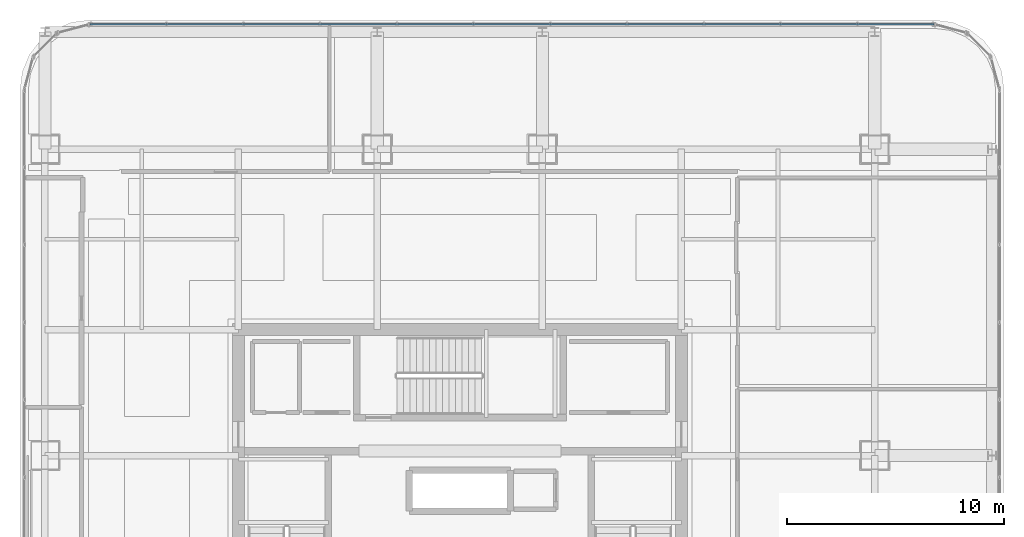
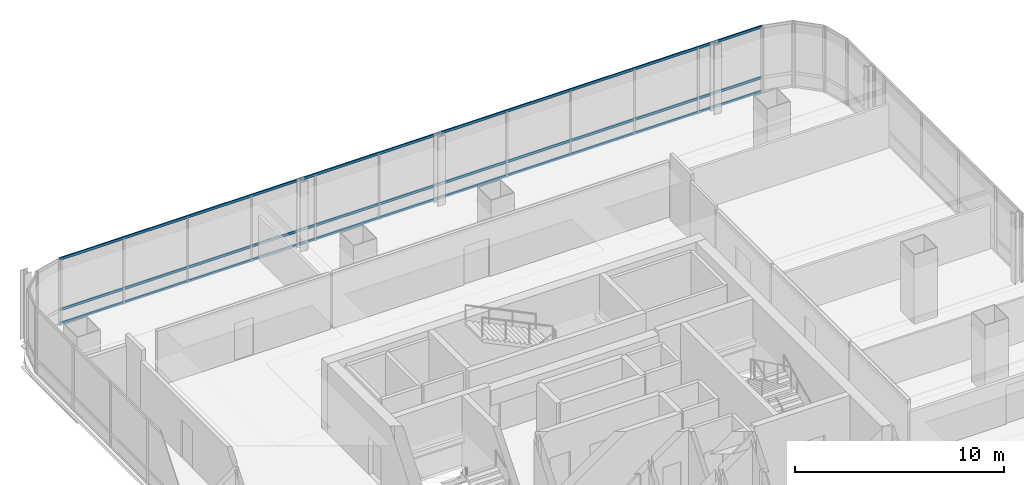
# One storey, part 28 of 42: 3 members, 1 element without a shape of its own.
"""IFC4 building model written with IfcOpenShell, lengths in metres."""

from ifc_helpers import new_model, si_unit, direction, frame, origin, origin_2d, place, context, subcontext, project, spatial, hollow_rectangle, extrude, material, material_profile, profile_set, type_object, element, aggregate, save


model = new_model("IFC4")

# Units and contexts
model_context = context("Model", 3, precision=1e-05, world=origin(), true_north=direction((0.0, 1.0)))
body_context = subcontext(model_context, "Body", "Model", "MODEL_VIEW")
ifc_project = project(units=[si_unit("LENGTHUNIT", "METRE"), si_unit("AREAUNIT", "SQUARE_METRE"), si_unit("VOLUMEUNIT", "CUBIC_METRE"), si_unit("PLANEANGLEUNIT", "RADIAN"), si_unit("MASSUNIT", "GRAM", prefix="KILO")], contexts=[model_context])

# Site, building, storey
site_placement = place(None, origin())
site = spatial("IfcSite", under=ifc_project, at=site_placement, CompositionType="ELEMENT")
building_placement = place(site_placement, origin())
building = spatial("IfcBuilding", under=site, at=building_placement, Name="Punatoya Terracotta Tower", CompositionType="ELEMENT")
storey_placement = place(building_placement, frame((0.0, 0.0, 255.449951171875)))
storey = spatial("IfcBuildingStorey", under=building, at=storey_placement, Name="L60", CompositionType="ELEMENT", Elevation=255.449951171875)

# Curtain wall, members
ifc_material_1 = material(Name="Aluminium 6063-T6 + Double Low-E Glass", Category="aluminium")
curtain_wall_type = type_object("IfcCurtainWallType", Name="CW-M3", PredefinedType="NOTDEFINED", material=ifc_material_1)
curtain_wall_placement = place(storey_placement, origin())
curtain_wall = element("IfcCurtainWall", 1, at=curtain_wall_placement, inside=storey, type_object=curtain_wall_type, Name="L60 Curtain Wall CW-L60-N09-1", PredefinedType="NOTDEFINED")
ifc_material_2 = material(Name="Aluminium 6063-T6", Category="aluminium")
ifc_material_profile = material_profile(ifc_material_2, hollow_rectangle(XDim=0.068115234375, YDim=0.14990234375, WallThickness=0.00390625, at=origin_2d()))
ifc_profile_set = profile_set([ifc_material_profile], Name="Aluminium 6063-T6")
member_type = type_object("IfcMemberType", Name="CW-TRN-TYP", PredefinedType="USERDEFINED", material=ifc_profile_set)
member_1_placement = place(storey_placement, frame((21.8369140625, 23.25, 0.0400390625), z_axis=(-1.0, 0.0, 0.0), x_axis=(0.0, -1.0, 0.0)))
member_1 = element("IfcMember", 2, at=member_1_placement, type_object=member_type, Name="CW-L60-N09-1 Transom 1", ObjectType="TRANSOM", PredefinedType="USERDEFINED", context=body_context, shape_type="SweptSolid", body=[
    extrude(hollow_rectangle(XDim=0.068115234375, YDim=0.14990234375, WallThickness=0.00390625, at=origin_2d()), origin(), (0.0, 0.0, 1.0), 38.873779296875),
])
member_2_placement = place(storey_placement, frame((21.8369140625, 23.25, 0.85009765625), z_axis=(-1.0, 0.0, 0.0), x_axis=(0.0, -1.0, 0.0)))
member_2 = element("IfcMember", 3, at=member_2_placement, type_object=member_type, Name="CW-L60-N09-1 Transom 2", ObjectType="TRANSOM", PredefinedType="USERDEFINED", context=body_context, shape_type="SweptSolid", body=[
    extrude(hollow_rectangle(XDim=0.068115234375, YDim=0.14990234375, WallThickness=0.00390625, at=origin_2d()), origin(), (0.0, 0.0, 1.0), 38.873779296875),
])
member_3_placement = place(storey_placement, frame((21.8369140625, 23.25, 3.81005859375), z_axis=(-1.0, 0.0, 0.0), x_axis=(0.0, -1.0, 0.0)))
member_3 = element("IfcMember", 4, at=member_3_placement, type_object=member_type, Name="CW-L60-N09-1 Transom 3", ObjectType="TRANSOM", PredefinedType="USERDEFINED", context=body_context, shape_type="SweptSolid", body=[
    extrude(hollow_rectangle(XDim=0.068115234375, YDim=0.14990234375, WallThickness=0.00390625, at=origin_2d()), origin(), (0.0, 0.0, 1.0), 38.873779296875),
])
aggregate(curtain_wall, [member_1, member_2, member_3])

save(model, "model.ifc")
